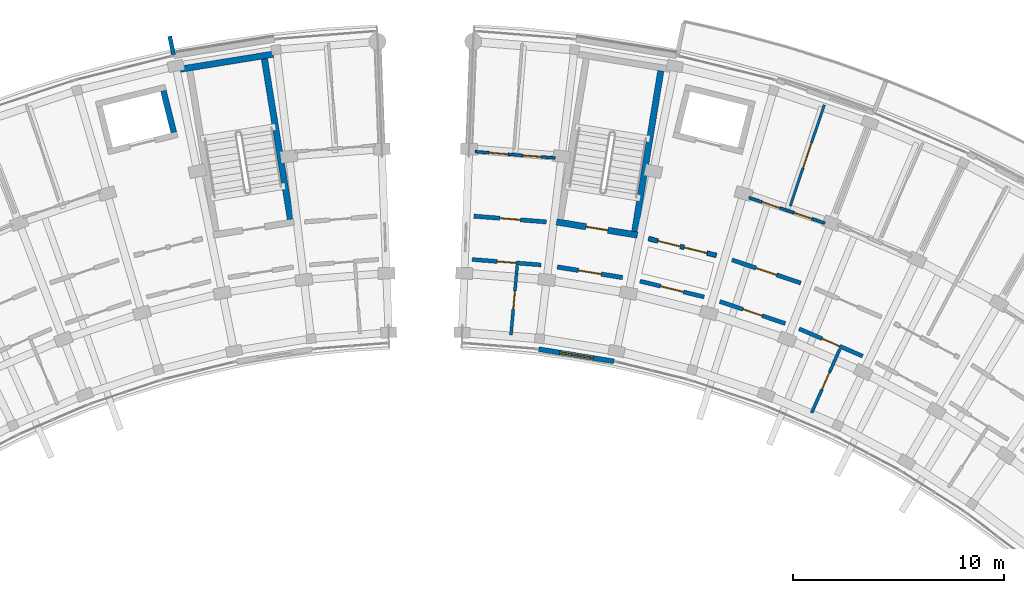
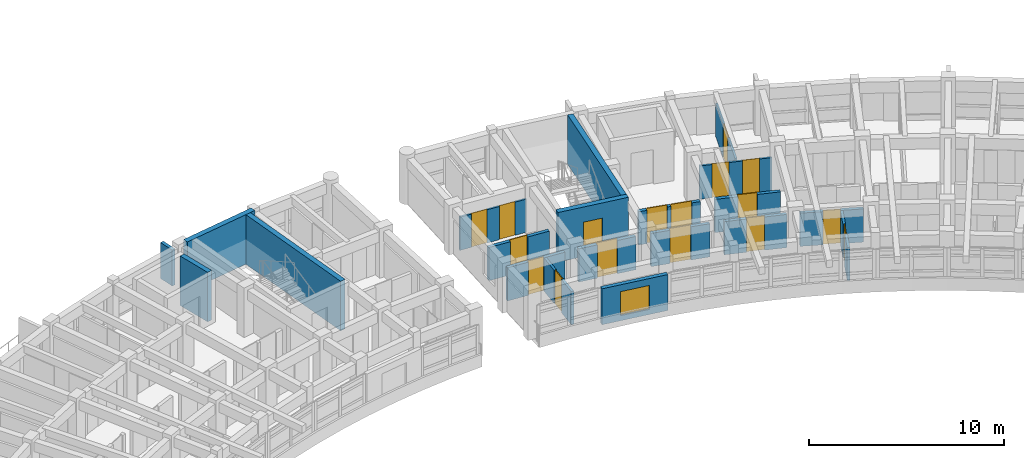
# One storey, part 31 of 55: 20 walls, 17 doors, 1 window, 18 openings.
"""IFC4 building model written with IfcOpenShell, lengths in metres."""

from ifc_helpers import new_model, si_unit, direction, frame, frame_2d, origin, place, context, subcontext, project, spatial, rectangle, extrude, material, layer, layer_set, type_object, element, fill, save


model = new_model("IFC4")

# Units and contexts
model_context = context("Model", 3, precision=1e-05, world=origin(), true_north=direction((0.0, 1.0)))
body_context = subcontext(model_context, "Body", "Model", "MODEL_VIEW")
ifc_project = project(units=[si_unit("LENGTHUNIT", "METRE"), si_unit("AREAUNIT", "SQUARE_METRE"), si_unit("VOLUMEUNIT", "CUBIC_METRE"), si_unit("PLANEANGLEUNIT", "RADIAN"), si_unit("MASSUNIT", "GRAM", prefix="KILO")], contexts=[model_context])

# Site, building, storey
site_placement = place(None, origin())
site = spatial("IfcSite", under=ifc_project, at=site_placement, CompositionType="ELEMENT")
building_placement = place(site_placement, origin())
building = spatial("IfcBuilding", under=site, at=building_placement, Name="Zimvara Arc Housing Community", CompositionType="ELEMENT")
storey_placement = place(building_placement, frame((0.0, 0.0, 14.300048828125)))
storey = spatial("IfcBuildingStorey", under=building, at=storey_placement, Name="L04", CompositionType="ELEMENT", Elevation=14.300048828125)

# Wall, opening, window
ifc_material_1 = material(Name="Board-Marked Fair-Faced Concrete C35/45", Category="concrete")
ifc_layer_1 = layer(ifc_material_1, 0.22998046875)
ifc_layer_set_1 = layer_set([ifc_layer_1], Name="Board-Marked Fair-Faced Concrete C35/45")
wall_type_1 = type_object("IfcWallType", Name="EWL-CONC-230", PredefinedType="SOLIDWALL", material=ifc_layer_set_1)
wall_1_placement = place(storey_placement, frame((50.36474609375, 88.79541015625, 0.0), z_axis=(0.0, 0.0, 1.0), x_axis=(0.987080874485, -0.160222804952, 0.0)))
wall_1 = element("IfcWall", 1, at=wall_1_placement, inside=storey, type_object=wall_type_1, Name="ewall:blkB:L04:in:b1", PredefinedType="SOLIDWALL", context=body_context, shape_type="SweptSolid", body=[
    extrude(rectangle(XDim=3.603759765625, YDim=0.22998046875, at=frame_2d((1.8017578125, 0.0))), origin(), (0.0, 0.0, 1.0), 2.25),
])
opening_1_placement = place(wall_1_placement, frame((1.001708984375, 0.0, 0.320068359375)))
opening_1 = element("IfcOpeningElement", 2, at=opening_1_placement, cuts=wall_1, Name="Opening W03", PredefinedType="OPENING", context=body_context, shape_type="SweptSolid", body=[
    extrude(rectangle(XDim=1.60009765625, YDim=1.5, at=frame_2d((0.800048828125, 0.75))), frame((0.0, 0.125, 0.0), z_axis=(0.0, -1.0, 0.0), x_axis=(1.0, 0.0, 0.0)), (0.0, 0.0, 1.0), 0.25),
])
ifc_material_2 = material(Name="Solar Control Low-E Double Glazing", Category="glass")
window_type = type_object("IfcWindowType", Name="WIN-RES-1600x1500", PartitioningType="DOUBLE_PANEL_VERTICAL", PredefinedType="WINDOW", material=ifc_material_2)
window_placement = place(opening_1_placement, origin())
window = element("IfcWindow", 3, at=window_placement, inside=storey, type_object=window_type, Name="win:blkB:L04:in:b1", OverallHeight=1.5, OverallWidth=1.60009765625, PartitioningType="DOUBLE_PANEL_VERTICAL", PredefinedType="WINDOW", context=body_context, shape_type="SweptSolid", body=[
    extrude(rectangle(XDim=1.60009765625, YDim=1.5, at=frame_2d((0.800048828125, 0.75))), frame((0.0, 0.030029296875, 0.0), z_axis=(0.0, -1.0, 0.0), x_axis=(1.0, 0.0, 0.0)), (0.0, 0.0, 1.0), 0.06005859375),
])
fill(opening_1, window)

# Wall
ifc_material_3 = material(Name="Board-Marked Fair-Faced Concrete C35/45", Category="concrete")
ifc_layer_2 = layer(ifc_material_3, 0.195068359375)
ifc_layer_set_2 = layer_set([ifc_layer_2], Name="Board-Marked Fair-Faced Concrete C35/45")
wall_type_2 = type_object("IfcWallType", Name="EWL-PARA-195", PredefinedType="PARAPET", material=ifc_layer_set_2)
wall_2_placement = place(storey_placement, frame((33.092529296875, 102.714599609375, 0.0), z_axis=(0.0, 0.0, 1.0), x_axis=(-0.200183211319, 0.979758481416, 0.0)))
element("IfcWall", 4, at=wall_2_placement, inside=storey, type_object=wall_type_2, Name="finwall:blkA:L04:out:b8", PredefinedType="PARAPET", context=body_context, shape_type="SweptSolid", body=[
    extrude(rectangle(XDim=0.900146484375, YDim=0.195068359375, at=frame_2d((0.4501953125, 0.0))), origin(), (0.0, 0.0, 1.0), 2.25),
])

# Wall, opening, door
ifc_material_4 = material(Name="Concrete C35/45", Category="concrete")
ifc_layer_3 = layer(ifc_material_4, 0.2099609375)
ifc_layer_set_3 = layer_set([ifc_layer_3], Name="Concrete C35/45")
wall_type_3 = type_object("IfcWallType", Name="IWL-CCF-210", PredefinedType="SOLIDWALL", material=ifc_layer_set_3)
wall_3_placement = place(storey_placement, frame((51.236328125, 92.682861328125, 0.0), z_axis=(0.0, 0.0, 1.0), x_axis=(0.98707079686, -0.160284877599, 0.0)))
wall_3 = element("IfcWall", 5, at=wall_3_placement, inside=storey, type_object=wall_type_3, Name="iwall:blkB:L04:ccf_div:b1", PredefinedType="SOLIDWALL", context=body_context, shape_type="SweptSolid", body=[
    extrude(rectangle(XDim=3.128662109375, YDim=0.2099609375, at=frame_2d((1.564453125, 0.0))), origin(), (0.0, 0.0, 1.0), 2.079833984375),
])
opening_2_placement = place(wall_3_placement, frame((1.014404296875, 0.0, 0.0)))
opening_2 = element("IfcOpeningElement", 6, at=opening_2_placement, cuts=wall_3, Name="Opening FD-CCF1", PredefinedType="OPENING", context=body_context, shape_type="SweptSolid", body=[
    extrude(rectangle(XDim=1.10009765625, YDim=2.14990234375, at=frame_2d((0.550048828125, 1.074951171875))), frame((0.0, 0.114990234375, 0.0), z_axis=(0.0, -1.0, 0.0), x_axis=(1.0, 0.0, 0.0)), (0.0, 0.0, 1.0), 0.22998046875),
])
ifc_material_5 = material(Name="Anodised Aluminium AW-6063", Category="aluminium")
door_type_1 = type_object("IfcDoorType", Name="IDR-CCF-1100x2150", OperationType="NOTDEFINED", PredefinedType="DOOR", material=ifc_material_5)
door_1_placement = place(opening_2_placement, origin())
door_1 = element("IfcDoor", 7, at=door_1_placement, inside=storey, type_object=door_type_1, Name="idoor:blkB:L04:ccf_in:b1", OperationType="SINGLE_SWING_LEFT", OverallHeight=2.14990234375, OverallWidth=1.10009765625, PredefinedType="DOOR", context=body_context, shape_type="SweptSolid", body=[
    extrude(rectangle(XDim=1.10009765625, YDim=2.14990234375, at=frame_2d((0.550048828125, 1.074951171875))), frame((0.0, 0.02490234375, 0.0), z_axis=(0.0, -1.0, 0.0), x_axis=(1.0, 0.0, 0.0)), (0.0, 0.0, 1.0), 0.050048828125),
])
fill(opening_2, door_1)

# Wall, openings, doors
wall_4_placement = place(storey_placement, frame((55.5576171875, 94.021728515625, 0.0), z_axis=(0.0, 0.0, 1.0), x_axis=(0.970719238682, -0.240216901263, 0.0)))
wall_4 = element("IfcWall", 8, at=wall_4_placement, inside=storey, type_object=wall_type_3, Name="iwall:blkB:L04:ll_div:b2", PredefinedType="SOLIDWALL", context=body_context, shape_type="SweptSolid", body=[
    extrude(rectangle(XDim=3.2958984375, YDim=0.2099609375, at=frame_2d((1.64794921875, 0.0))), origin(), (0.0, 0.0, 1.0), 2.079833984375),
])
opening_3_placement = place(wall_4_placement, frame((0.449951171875, 0.0, 0.0)))
opening_3 = element("IfcOpeningElement", 9, at=opening_3_placement, cuts=wall_4, Name="Opening FD-CCF1", PredefinedType="OPENING", context=body_context, shape_type="SweptSolid", body=[
    extrude(rectangle(XDim=1.10009765625, YDim=2.14990234375, at=frame_2d((0.550048828125, 1.074951171875))), frame((0.0, 0.114990234375, 0.0), z_axis=(0.0, -1.0, 0.0), x_axis=(1.0, 0.0, 0.0)), (0.0, 0.0, 1.0), 0.22998046875),
])
opening_4_placement = place(wall_4_placement, frame((1.72607421875, 0.0, 0.0)))
opening_4 = element("IfcOpeningElement", 10, at=opening_4_placement, cuts=wall_4, Name="Opening D07", PredefinedType="OPENING", context=body_context, shape_type="SweptSolid", body=[
    extrude(rectangle(XDim=1.1201171875, YDim=2.14990234375, at=frame_2d((0.56005859375, 1.074951171875))), frame((0.0, 0.114990234375, 0.0), z_axis=(0.0, -1.0, 0.0), x_axis=(1.0, 0.0, 0.0)), (0.0, 0.0, 1.0), 0.22998046875),
])
ifc_material_6 = material(Name="Mozambican Hardwood", Category="wood")
door_type_2 = type_object("IfcDoorType", Name="IDR-AMN-1120x2150", OperationType="NOTDEFINED", PredefinedType="DOOR", material=ifc_material_6)
door_2_placement = place(opening_4_placement, origin())
door_2 = element("IfcDoor", 11, at=door_2_placement, inside=storey, type_object=door_type_2, Name="idoor:blkB:L04:rs_in:b2", OperationType="SINGLE_SWING_LEFT", OverallHeight=2.14990234375, OverallWidth=1.1201171875, PredefinedType="DOOR", context=body_context, shape_type="SweptSolid", body=[
    extrude(rectangle(XDim=1.1201171875, YDim=2.14990234375, at=frame_2d((0.56005859375, 1.074951171875))), frame((0.0, 0.02490234375, 0.0), z_axis=(0.0, -1.0, 0.0), x_axis=(1.0, 0.0, 0.0)), (0.0, 0.0, 1.0), 0.050048828125),
])
fill(opening_4, door_2)
door_3_placement = place(opening_3_placement, origin())
door_3 = element("IfcDoor", 12, at=door_3_placement, inside=storey, type_object=door_type_1, Name="idoor:blkB:L04:ll_in:b2", OperationType="SINGLE_SWING_RIGHT", OverallHeight=2.14990234375, OverallWidth=1.10009765625, PredefinedType="DOOR", context=body_context, shape_type="SweptSolid", body=[
    extrude(rectangle(XDim=1.10009765625, YDim=2.14990234375, at=frame_2d((0.550048828125, 1.074951171875))), frame((0.0, 0.02490234375, 0.0), z_axis=(0.0, -1.0, 0.0), x_axis=(1.0, 0.0, 0.0)), (0.0, 0.0, 1.0), 0.050048828125),
])
fill(opening_3, door_3)

# Wall, opening, door
ifc_material_7 = material(Name="Concrete C35/45", Category="concrete")
ifc_layer_4 = layer(ifc_material_7, 0.18994140625)
ifc_layer_set_4 = layer_set([ifc_layer_4], Name="Concrete C35/45")
wall_type_4 = type_object("IfcWallType", Name="IWL-CORR-190", PredefinedType="SOLIDWALL", material=ifc_layer_set_4)
wall_5_placement = place(storey_placement, frame((47.214599609375, 93.036376953125, 0.0), z_axis=(0.0, 0.0, 1.0), x_axis=(0.99686660806, -0.07910098441, 0.0)))
wall_5 = element("IfcWall", 13, at=wall_5_placement, inside=storey, type_object=wall_type_4, Name="iwall:blkB:L04:corr_in:b0", PredefinedType="SOLIDWALL", context=body_context, shape_type="SweptSolid", body=[
    extrude(rectangle(XDim=3.2685546875, YDim=0.18994140625, at=frame_2d((1.63427734375, 0.0))), origin(), (0.0, 0.0, 1.0), 2.079833984375),
])
opening_5_placement = place(wall_5_placement, frame((1.184326171875, 0.0, 0.0)))
opening_5 = element("IfcOpeningElement", 14, at=opening_5_placement, cuts=wall_5, Name="Opening D01", PredefinedType="OPENING", context=body_context, shape_type="SweptSolid", body=[
    extrude(rectangle(XDim=0.89990234375, YDim=2.10009765625, at=frame_2d((0.449951171875, 1.050048828125))), frame((0.0, 0.10498046875, 0.0), z_axis=(0.0, -1.0, 0.0), x_axis=(1.0, 0.0, 0.0)), (0.0, 0.0, 1.0), 0.2099609375),
])
ifc_material_8 = material(Name="Mozambican Hardwood", Category="wood")
door_type_3 = type_object("IfcDoorType", Name="IDR-RM-0900x2100", OperationType="NOTDEFINED", PredefinedType="DOOR", material=ifc_material_8)
door_4_placement = place(opening_5_placement, origin())
door_4 = element("IfcDoor", 15, at=door_4_placement, inside=storey, type_object=door_type_3, Name="idoor:blkB:L04:in_rm:b0", OperationType="SINGLE_SWING_RIGHT", OverallHeight=2.10009765625, OverallWidth=0.89990234375, PredefinedType="DOOR", context=body_context, shape_type="SweptSolid", body=[
    extrude(rectangle(XDim=0.89990234375, YDim=2.10009765625, at=frame_2d((0.449951171875, 1.050048828125))), frame((0.0, 0.02490234375, 0.0), z_axis=(0.0, -1.0, 0.0), x_axis=(1.0, 0.0, 0.0)), (0.0, 0.0, 1.0), 0.050048828125),
])
fill(opening_5, door_4)

wall_6_placement = place(storey_placement, frame((55.146728515625, 92.01318359375, 0.0), z_axis=(0.0, 0.0, 1.0), x_axis=(0.970727194092, -0.240184751078, 0.0)))
wall_6 = element("IfcWall", 16, at=wall_6_placement, inside=storey, type_object=wall_type_4, Name="iwall:blkB:L04:ra_div:b2", PredefinedType="SOLIDWALL", context=body_context, shape_type="SweptSolid", body=[
    extrude(rectangle(XDim=3.128662109375, YDim=0.18994140625, at=frame_2d((1.564453125, 0.0))), origin(), (0.0, 0.0, 1.0), 2.079833984375),
])
opening_6_placement = place(wall_6_placement, frame((1.00439453125, 0.0, 0.0)))
opening_6 = element("IfcOpeningElement", 17, at=opening_6_placement, cuts=wall_6, Name="Opening D07", PredefinedType="OPENING", context=body_context, shape_type="SweptSolid", body=[
    extrude(rectangle(XDim=1.1201171875, YDim=2.14990234375, at=frame_2d((0.56005859375, 1.074951171875))), frame((0.0, 0.10498046875, 0.0), z_axis=(0.0, -1.0, 0.0), x_axis=(1.0, 0.0, 0.0)), (0.0, 0.0, 1.0), 0.2099609375),
])
door_5_placement = place(opening_6_placement, origin())
door_5 = element("IfcDoor", 18, at=door_5_placement, inside=storey, type_object=door_type_2, Name="idoor:blkB:L04:ra_d:b2", OperationType="SINGLE_SWING_RIGHT", OverallHeight=2.14990234375, OverallWidth=1.1201171875, PredefinedType="DOOR", context=body_context, shape_type="SweptSolid", body=[
    extrude(rectangle(XDim=1.1201171875, YDim=2.14990234375, at=frame_2d((0.56005859375, 1.074951171875))), frame((0.0, 0.02490234375, 0.0), z_axis=(0.0, -1.0, 0.0), x_axis=(1.0, 0.0, 0.0)), (0.0, 0.0, 1.0), 0.050048828125),
])
fill(opening_6, door_5)

wall_7_placement = place(storey_placement, frame((58.92333984375, 91.04931640625, 0.0), z_axis=(0.0, 0.0, 1.0), x_axis=(0.94787351033, -0.318646839643, 0.0)))
wall_7 = element("IfcWall", 19, at=wall_7_placement, inside=storey, type_object=wall_type_4, Name="iwall:blkB:L04:corr_in:b3", PredefinedType="SOLIDWALL", context=body_context, shape_type="SweptSolid", body=[
    extrude(rectangle(XDim=3.2685546875, YDim=0.18994140625, at=frame_2d((1.63427734375, 0.0))), origin(), (0.0, 0.0, 1.0), 2.079833984375),
])
opening_7_placement = place(wall_7_placement, frame((1.154296875, 0.0, 0.0)))
opening_7 = element("IfcOpeningElement", 20, at=opening_7_placement, cuts=wall_7, Name="Opening D04", PredefinedType="OPENING", context=body_context, shape_type="SweptSolid", body=[
    extrude(rectangle(XDim=0.9599609375, YDim=2.10009765625, at=frame_2d((0.47998046875, 1.050048828125))), frame((0.0, 0.10498046875, 0.0), z_axis=(0.0, -1.0, 0.0), x_axis=(1.0, 0.0, 0.0)), (0.0, 0.0, 1.0), 0.2099609375),
])
ifc_material_9 = material(Name="Mozambican Hardwood", Category="wood")
door_type_4 = type_object("IfcDoorType", Name="IDR-RM-0960x2100", OperationType="NOTDEFINED", PredefinedType="DOOR", material=ifc_material_9)
door_6_placement = place(opening_7_placement, origin())
door_6 = element("IfcDoor", 21, at=door_6_placement, inside=storey, type_object=door_type_4, Name="idoor:blkB:L04:in_rm:b3", OperationType="SINGLE_SWING_RIGHT", OverallHeight=2.10009765625, OverallWidth=0.9599609375, PredefinedType="DOOR", context=body_context, shape_type="SweptSolid", body=[
    extrude(rectangle(XDim=0.9599609375, YDim=2.10009765625, at=frame_2d((0.47998046875, 1.050048828125))), frame((0.0, 0.02490234375, 0.0), z_axis=(0.0, -1.0, 0.0), x_axis=(1.0, 0.0, 0.0)), (0.0, 0.0, 1.0), 0.050048828125),
])
fill(opening_7, door_6)

wall_8_placement = place(storey_placement, frame((62.6748046875, 89.758056640625, 0.0), z_axis=(0.0, 0.0, 1.0), x_axis=(0.918723391052, -0.394901672235, 0.0)))
wall_8 = element("IfcWall", 22, at=wall_8_placement, inside=storey, type_object=wall_type_4, Name="iwall:blkB:L04:corr_in:b4", PredefinedType="SOLIDWALL", context=body_context, shape_type="SweptSolid", body=[
    extrude(rectangle(XDim=3.2685546875, YDim=0.18994140625, at=frame_2d((1.63427734375, 0.0))), origin(), (0.0, 0.0, 1.0), 2.079833984375),
])
opening_8_placement = place(wall_8_placement, frame((1.184326171875, 0.0, 0.0)))
opening_8 = element("IfcOpeningElement", 23, at=opening_8_placement, cuts=wall_8, Name="Opening D01", PredefinedType="OPENING", context=body_context, shape_type="SweptSolid", body=[
    extrude(rectangle(XDim=0.89990234375, YDim=2.10009765625, at=frame_2d((0.449951171875, 1.050048828125))), frame((0.0, 0.10498046875, 0.0), z_axis=(0.0, -1.0, 0.0), x_axis=(1.0, 0.0, 0.0)), (0.0, 0.0, 1.0), 0.2099609375),
])
door_7_placement = place(opening_8_placement, origin())
door_7 = element("IfcDoor", 24, at=door_7_placement, inside=storey, type_object=door_type_3, Name="idoor:blkB:L04:in_rm:b4", OperationType="SINGLE_SWING_LEFT", OverallHeight=2.10009765625, OverallWidth=0.89990234375, PredefinedType="DOOR", context=body_context, shape_type="SweptSolid", body=[
    extrude(rectangle(XDim=0.89990234375, YDim=2.10009765625, at=frame_2d((0.449951171875, 1.050048828125))), frame((0.0, 0.02490234375, 0.0), z_axis=(0.0, -1.0, 0.0), x_axis=(1.0, 0.0, 0.0)), (0.0, 0.0, 1.0), 0.050048828125),
])
fill(opening_8, door_7)

ifc_material_10 = material(Name="Concrete C35/45", Category="concrete")
ifc_layer_5 = layer(ifc_material_10, 0.199951171875)
ifc_layer_set_5 = layer_set([ifc_layer_5], Name="Concrete C35/45")
wall_type_5 = type_object("IfcWallType", Name="IWL-CORR-200", PredefinedType="SOLIDWALL", material=ifc_layer_set_5)
wall_9_placement = place(storey_placement, frame((47.293212890625, 95.0849609375, 0.0), z_axis=(0.0, 0.0, 1.0), x_axis=(0.996862545573, -0.079152165058, 0.0)))
wall_9 = element("IfcWall", 25, at=wall_9_placement, inside=storey, type_object=wall_type_5, Name="iwall:blkB:L04:corr_out:b0", PredefinedType="SOLIDWALL", context=body_context, shape_type="SweptSolid", body=[
    extrude(rectangle(XDim=3.43603515625, YDim=0.199951171875, at=frame_2d((1.718017578125, 0.0))), origin(), (0.0, 0.0, 1.0), 2.079833984375),
])
opening_9_placement = place(wall_9_placement, frame((1.22802734375, 0.0, 0.0)))
opening_9 = element("IfcOpeningElement", 26, at=opening_9_placement, cuts=wall_9, Name="Opening FD-FL1", PredefinedType="OPENING", context=body_context, shape_type="SweptSolid", body=[
    extrude(rectangle(XDim=0.97998046875, YDim=2.14990234375, at=frame_2d((0.489990234375, 1.074951171875))), frame((0.0, 0.10986328125, 0.0), z_axis=(0.0, -1.0, 0.0), x_axis=(1.0, 0.0, 0.0)), (0.0, 0.0, 1.0), 0.219970703125),
])
ifc_material_11 = material(Name="Mozambican Hardwood", Category="wood")
door_type_5 = type_object("IfcDoorType", Name="IDR-FLAT-0980x2150", OperationType="NOTDEFINED", PredefinedType="DOOR", material=ifc_material_11)
door_8_placement = place(opening_9_placement, origin())
door_8 = element("IfcDoor", 27, at=door_8_placement, inside=storey, type_object=door_type_5, Name="idoor:blkB:L04:flat:b0", OperationType="SINGLE_SWING_LEFT", OverallHeight=2.14990234375, OverallWidth=0.97998046875, PredefinedType="DOOR", context=body_context, shape_type="SweptSolid", body=[
    extrude(rectangle(XDim=0.97998046875, YDim=2.14990234375, at=frame_2d((0.489990234375, 1.074951171875))), frame((0.0, 0.02490234375, 0.0), z_axis=(0.0, -1.0, 0.0), x_axis=(1.0, 0.0, 0.0)), (0.0, 0.0, 1.0), 0.050048828125),
])
fill(opening_9, door_8)

wall_10_placement = place(storey_placement, frame((59.49658203125, 93.017578125, 0.0), z_axis=(0.0, 0.0, 1.0), x_axis=(0.947863007629, -0.318678080151, 0.0)))
wall_10 = element("IfcWall", 28, at=wall_10_placement, inside=storey, type_object=wall_type_5, Name="iwall:blkB:L04:corr_out:b3", PredefinedType="SOLIDWALL", context=body_context, shape_type="SweptSolid", body=[
    extrude(rectangle(XDim=3.43603515625, YDim=0.199951171875, at=frame_2d((1.718017578125, 0.0))), origin(), (0.0, 0.0, 1.0), 2.079833984375),
])
opening_10_placement = place(wall_10_placement, frame((1.2080078125, 0.0, 0.0)))
opening_10 = element("IfcOpeningElement", 29, at=opening_10_placement, cuts=wall_10, Name="Opening FD-FL2", PredefinedType="OPENING", context=body_context, shape_type="SweptSolid", body=[
    extrude(rectangle(XDim=1.02001953125, YDim=2.14990234375, at=frame_2d((0.510009765625, 1.074951171875))), frame((0.0, 0.10986328125, 0.0), z_axis=(0.0, -1.0, 0.0), x_axis=(1.0, 0.0, 0.0)), (0.0, 0.0, 1.0), 0.219970703125),
])
ifc_material_12 = material(Name="Mozambican Hardwood", Category="wood")
door_type_6 = type_object("IfcDoorType", Name="IDR-FLAT-1020x2150", OperationType="NOTDEFINED", PredefinedType="DOOR", material=ifc_material_12)
door_9_placement = place(opening_10_placement, origin())
door_9 = element("IfcDoor", 30, at=door_9_placement, inside=storey, type_object=door_type_6, Name="idoor:blkB:L04:flat:b3", OperationType="SINGLE_SWING_LEFT", OverallHeight=2.14990234375, OverallWidth=1.02001953125, PredefinedType="DOOR", context=body_context, shape_type="SweptSolid", body=[
    extrude(rectangle(XDim=1.02001953125, YDim=2.14990234375, at=frame_2d((0.510009765625, 1.074951171875))), frame((0.0, 0.02490234375, 0.0), z_axis=(0.0, -1.0, 0.0), x_axis=(1.0, 0.0, 0.0)), (0.0, 0.0, 1.0), 0.050048828125),
])
fill(opening_10, door_9)

# Wall, openings, doors
ifc_material_13 = material(Name="Painted Acoustic Plasterboard")
ifc_layer_6 = layer(ifc_material_13, 0.1201171875)
ifc_layer_set_6 = layer_set([ifc_layer_6], Name="Painted Acoustic Plasterboard")
wall_type_6 = type_object("IfcWallType", Name="IWL-PART-120", PredefinedType="PARTITIONING", material=ifc_layer_set_6)
wall_11_placement = place(storey_placement, frame((47.360595703125, 98.13671875, 0.0), z_axis=(0.0, 0.0, 1.0), x_axis=(0.996863292793, -0.079142753818, 0.0)))
wall_11 = element("IfcWall", 31, at=wall_11_placement, inside=storey, type_object=wall_type_6, Name="iwall:blkB:L04:srv:b0", PredefinedType="PARTITIONING", context=body_context, shape_type="SweptSolid", body=[
    extrude(rectangle(XDim=3.78515625, YDim=0.1201171875, at=frame_2d((1.892578125, 0.0))), origin(), (0.0, 0.0, 1.0), 2.079833984375),
])
opening_11_placement = place(wall_11_placement, frame((0.64990234375, 0.0, 0.0)))
opening_11 = element("IfcOpeningElement", 32, at=opening_11_placement, cuts=wall_11, Name="Opening D01", PredefinedType="OPENING", context=body_context, shape_type="SweptSolid", body=[
    extrude(rectangle(XDim=0.89990234375, YDim=2.10009765625, at=frame_2d((0.449951171875, 1.050048828125))), frame((0.0, 0.070068359375, 0.0), z_axis=(0.0, -1.0, 0.0), x_axis=(1.0, 0.0, 0.0)), (0.0, 0.0, 1.0), 0.14013671875),
])
opening_12_placement = place(wall_11_placement, frame((2.255126953125, 0.0, 0.0)))
opening_12 = element("IfcOpeningElement", 33, at=opening_12_placement, cuts=wall_11, Name="Opening D05", PredefinedType="OPENING", context=body_context, shape_type="SweptSolid", body=[
    extrude(rectangle(XDim=0.8798828125, YDim=2.10009765625, at=frame_2d((0.43994140625, 1.050048828125))), frame((0.0, 0.070068359375, 0.0), z_axis=(0.0, -1.0, 0.0), x_axis=(1.0, 0.0, 0.0)), (0.0, 0.0, 1.0), 0.14013671875),
])
door_10_placement = place(opening_11_placement, origin())
door_10 = element("IfcDoor", 34, at=door_10_placement, inside=storey, type_object=door_type_3, Name="idoor:blkB:L04:kit_liv:b0", OperationType="SINGLE_SWING_RIGHT", OverallHeight=2.10009765625, OverallWidth=0.89990234375, PredefinedType="DOOR", context=body_context, shape_type="SweptSolid", body=[
    extrude(rectangle(XDim=0.89990234375, YDim=2.10009765625, at=frame_2d((0.449951171875, 1.050048828125))), frame((0.0, 0.02490234375, 0.0), z_axis=(0.0, -1.0, 0.0), x_axis=(1.0, 0.0, 0.0)), (0.0, 0.0, 1.0), 0.050048828125),
])
fill(opening_11, door_10)
ifc_material_14 = material(Name="Mozambican Hardwood", Category="wood")
door_type_7 = type_object("IfcDoorType", Name="IDR-WC-0880x2100", OperationType="NOTDEFINED", PredefinedType="DOOR", material=ifc_material_14)
door_11_placement = place(opening_12_placement, origin())
door_11 = element("IfcDoor", 35, at=door_11_placement, inside=storey, type_object=door_type_7, Name="idoor:blkB:L04:bath_d:b0", OperationType="SINGLE_SWING_LEFT", OverallHeight=2.10009765625, OverallWidth=0.8798828125, PredefinedType="DOOR", context=body_context, shape_type="SweptSolid", body=[
    extrude(rectangle(XDim=0.8798828125, YDim=2.10009765625, at=frame_2d((0.43994140625, 1.050048828125))), frame((0.0, 0.02490234375, 0.0), z_axis=(0.0, -1.0, 0.0), x_axis=(1.0, 0.0, 0.0)), (0.0, 0.0, 1.0), 0.050048828125),
])
fill(opening_12, door_11)

# Wall, opening, door
wall_12_placement = place(storey_placement, frame((62.2509765625, 95.564697265625, 0.0), z_axis=(0.0, 0.0, 1.0), x_axis=(0.32008297059, 0.94738951437, 0.0)))
wall_12 = element("IfcWall", 36, at=wall_12_placement, inside=storey, type_object=wall_type_6, Name="iwall:blkB:L04:bed_div:b3", PredefinedType="PARTITIONING", context=body_context, shape_type="SweptSolid", body=[
    extrude(rectangle(XDim=5.050048828125, YDim=0.1201171875, at=frame_2d((2.52490234375, 0.0))), origin(), (0.0, 0.0, 1.0), 2.079833984375),
])
opening_13_placement = place(wall_12_placement, frame((1.905029296875, 0.0, 0.0)))
opening_13 = element("IfcOpeningElement", 37, at=opening_13_placement, cuts=wall_12, Name="Opening D19", PredefinedType="OPENING", context=body_context, shape_type="SweptSolid", body=[
    extrude(rectangle(XDim=1.239990234375, YDim=2.10009765625, at=frame_2d((0.6201171875, 1.050048828125))), frame((0.0, 0.070068359375, 0.0), z_axis=(0.0, -1.0, 0.0), x_axis=(1.0, 0.0, 0.0)), (0.0, 0.0, 1.0), 0.14013671875),
])
ifc_material_15 = material(Name="Mozambican Hardwood", Category="wood")
door_type_8 = type_object("IfcDoorType", Name="IDR-MOD-1240x2180", OperationType="NOTDEFINED", PredefinedType="DOOR", material=ifc_material_15)
door_12_placement = place(opening_13_placement, origin())
door_12 = element("IfcDoor", 38, at=door_12_placement, inside=storey, type_object=door_type_8, Name="idoor:blkB:L04:bed_d:b3", OperationType="SINGLE_SWING_LEFT", OverallHeight=2.10009765625, OverallWidth=1.239990234375, PredefinedType="DOOR", context=body_context, shape_type="SweptSolid", body=[
    extrude(rectangle(XDim=1.239990234375, YDim=2.10009765625, at=frame_2d((0.6201171875, 1.050048828125))), frame((0.0, 0.02490234375, 0.0), z_axis=(0.0, -1.0, 0.0), x_axis=(1.0, 0.0, 0.0)), (0.0, 0.0, 1.0), 0.050048828125),
])
fill(opening_13, door_12)

# Wall, openings, doors
ifc_material_16 = material(Name="Painted Acoustic Plasterboard")
ifc_layer_7 = layer(ifc_material_16, 0.125)
ifc_layer_set_7 = layer_set([ifc_layer_7], Name="Painted Acoustic Plasterboard")
wall_type_7 = type_object("IfcWallType", Name="IWL-PART-125", PredefinedType="PARTITIONING", material=ifc_layer_set_7)
wall_13_placement = place(storey_placement, frame((60.30224609375, 95.961669921875, 0.0), z_axis=(0.0, 0.0, 1.0), x_axis=(0.947873924847, -0.318645606584, 0.0)))
wall_13 = element("IfcWall", 39, at=wall_13_placement, inside=storey, type_object=wall_type_7, Name="iwall:blkB:L04:srv:b3", PredefinedType="PARTITIONING", context=body_context, shape_type="SweptSolid", body=[
    extrude(rectangle(XDim=3.784912109375, YDim=0.125, at=frame_2d((1.892578125, 0.0))), origin(), (0.0, 0.0, 1.0), 2.079833984375),
])
opening_14_placement = place(wall_13_placement, frame((0.64990234375, 0.0, 0.0)))
opening_14 = element("IfcOpeningElement", 40, at=opening_14_placement, cuts=wall_13, Name="Opening D01", PredefinedType="OPENING", context=body_context, shape_type="SweptSolid", body=[
    extrude(rectangle(XDim=0.89990234375, YDim=2.10009765625, at=frame_2d((0.449951171875, 1.050048828125))), frame((0.0, 0.072509765625, 0.0), z_axis=(0.0, -1.0, 0.0), x_axis=(1.0, 0.0, 0.0)), (0.0, 0.0, 1.0), 0.14501953125),
])
opening_15_placement = place(wall_13_placement, frame((2.255126953125, 0.0, 0.0)))
opening_15 = element("IfcOpeningElement", 41, at=opening_15_placement, cuts=wall_13, Name="Opening D05", PredefinedType="OPENING", context=body_context, shape_type="SweptSolid", body=[
    extrude(rectangle(XDim=0.8798828125, YDim=2.10009765625, at=frame_2d((0.43994140625, 1.050048828125))), frame((0.0, 0.072509765625, 0.0), z_axis=(0.0, -1.0, 0.0), x_axis=(1.0, 0.0, 0.0)), (0.0, 0.0, 1.0), 0.14501953125),
])
door_13_placement = place(opening_14_placement, origin())
door_13 = element("IfcDoor", 42, at=door_13_placement, inside=storey, type_object=door_type_3, Name="idoor:blkB:L04:kit_liv:b3", OperationType="SINGLE_SWING_LEFT", OverallHeight=2.10009765625, OverallWidth=0.89990234375, PredefinedType="DOOR", context=body_context, shape_type="SweptSolid", body=[
    extrude(rectangle(XDim=0.89990234375, YDim=2.10009765625, at=frame_2d((0.449951171875, 1.050048828125))), frame((0.0, 0.02490234375, 0.0), z_axis=(0.0, -1.0, 0.0), x_axis=(1.0, 0.0, 0.0)), (0.0, 0.0, 1.0), 0.050048828125),
])
fill(opening_14, door_13)
door_14_placement = place(opening_15_placement, origin())
door_14 = element("IfcDoor", 43, at=door_14_placement, inside=storey, type_object=door_type_7, Name="idoor:blkB:L04:bath_d:b3", OperationType="SINGLE_SWING_RIGHT", OverallHeight=2.10009765625, OverallWidth=0.8798828125, PredefinedType="DOOR", context=body_context, shape_type="SweptSolid", body=[
    extrude(rectangle(XDim=0.8798828125, YDim=2.10009765625, at=frame_2d((0.43994140625, 1.050048828125))), frame((0.0, 0.02490234375, 0.0), z_axis=(0.0, -1.0, 0.0), x_axis=(1.0, 0.0, 0.0)), (0.0, 0.0, 1.0), 0.050048828125),
])
fill(opening_15, door_14)

# Wall, opening, door
ifc_material_17 = material(Name="Painted Acoustic Plasterboard")
ifc_layer_8 = layer(ifc_material_17, 0.14501953125)
ifc_layer_set_8 = layer_set([ifc_layer_8], Name="Painted Acoustic Plasterboard")
wall_type_8 = type_object("IfcWallType", Name="IWL-WET-145", PredefinedType="PARTITIONING", material=ifc_layer_set_8)
wall_14_placement = place(storey_placement, frame((49.048828125, 89.468017578125, 0.0), z_axis=(0.0, 0.0, 1.0), x_axis=(0.089661916212, 0.995972259042, 0.0)))
wall_14 = element("IfcWall", 44, at=wall_14_placement, inside=storey, type_object=wall_type_8, Name="iwall:blkB:L04:ens:b0", PredefinedType="PARTITIONING", context=body_context, shape_type="SweptSolid", body=[
    extrude(rectangle(XDim=3.300048828125, YDim=0.14501953125, at=frame_2d((1.64990234375, 0.0))), origin(), (0.0, 0.0, 1.0), 2.079833984375),
])
opening_16_placement = place(wall_14_placement, frame((1.2099609375, 0.0, 0.0)))
opening_16 = element("IfcOpeningElement", 45, at=opening_16_placement, cuts=wall_14, Name="Opening D05", PredefinedType="OPENING", context=body_context, shape_type="SweptSolid", body=[
    extrude(rectangle(XDim=0.8798828125, YDim=2.10009765625, at=frame_2d((0.43994140625, 1.050048828125))), frame((0.0, 0.08251953125, 0.0), z_axis=(0.0, -1.0, 0.0), x_axis=(1.0, 0.0, 0.0)), (0.0, 0.0, 1.0), 0.1650390625),
])
door_15_placement = place(opening_16_placement, origin())
door_15 = element("IfcDoor", 46, at=door_15_placement, inside=storey, type_object=door_type_7, Name="idoor:blkB:L04:ens_d:b0", OperationType="SINGLE_SWING_LEFT", OverallHeight=2.10009765625, OverallWidth=0.8798828125, PredefinedType="DOOR", context=body_context, shape_type="SweptSolid", body=[
    extrude(rectangle(XDim=0.8798828125, YDim=2.10009765625, at=frame_2d((0.43994140625, 1.050048828125))), frame((0.0, 0.02490234375, 0.0), z_axis=(0.0, -1.0, 0.0), x_axis=(1.0, 0.0, 0.0)), (0.0, 0.0, 1.0), 0.050048828125),
])
fill(opening_16, door_15)

wall_15_placement = place(storey_placement, frame((63.266845703125, 85.789794921875, 0.0), z_axis=(0.0, 0.0, 1.0), x_axis=(0.404545283439, 0.91451796792, 0.0)))
wall_15 = element("IfcWall", 47, at=wall_15_placement, inside=storey, type_object=wall_type_8, Name="iwall:blkB:L04:ens:b4", PredefinedType="PARTITIONING", context=body_context, shape_type="SweptSolid", body=[
    extrude(rectangle(XDim=3.2998046875, YDim=0.14501953125, at=frame_2d((1.64990234375, 0.0))), origin(), (0.0, 0.0, 1.0), 2.079833984375),
])
opening_17_placement = place(wall_15_placement, frame((1.2099609375, 0.0, 0.0)))
opening_17 = element("IfcOpeningElement", 48, at=opening_17_placement, cuts=wall_15, Name="Opening D05", PredefinedType="OPENING", context=body_context, shape_type="SweptSolid", body=[
    extrude(rectangle(XDim=0.8798828125, YDim=2.10009765625, at=frame_2d((0.43994140625, 1.050048828125))), frame((0.0, 0.08251953125, 0.0), z_axis=(0.0, -1.0, 0.0), x_axis=(1.0, 0.0, 0.0)), (0.0, 0.0, 1.0), 0.1650390625),
])
door_16_placement = place(opening_17_placement, origin())
door_16 = element("IfcDoor", 49, at=door_16_placement, inside=storey, type_object=door_type_7, Name="idoor:blkB:L04:ens_d:b4", OperationType="SINGLE_SWING_RIGHT", OverallHeight=2.10009765625, OverallWidth=0.8798828125, PredefinedType="DOOR", context=body_context, shape_type="SweptSolid", body=[
    extrude(rectangle(XDim=0.8798828125, YDim=2.10009765625, at=frame_2d((0.43994140625, 1.050048828125))), frame((0.0, 0.02490234375, 0.0), z_axis=(0.0, -1.0, 0.0), x_axis=(1.0, 0.0, 0.0)), (0.0, 0.0, 1.0), 0.050048828125),
])
fill(opening_17, door_16)

# Walls
ifc_material_18 = material(Name="Concrete C40/50", Category="concrete")
ifc_layer_9 = layer(ifc_material_18, 0.280029296875)
ifc_layer_set_9 = layer_set([ifc_layer_9], Name="Concrete C40/50")
wall_type_9 = type_object("IfcWallType", Name="WL-CORE-280", PredefinedType="SHEAR", material=ifc_layer_set_9)
wall_16_placement = place(storey_placement, frame((33.103515625, 99.04443359375, 0.0), z_axis=(0.0, 0.0, 1.0), x_axis=(-0.240186044774, 0.970726873995, 0.0)))
element("IfcWall", 50, at=wall_16_placement, inside=storey, type_object=wall_type_9, Name="lwall:LF-A2:L04:left", PredefinedType="SHEAR", context=body_context, shape_type="SweptSolid", body=[
    extrude(rectangle(XDim=2.02978515625, YDim=0.280029296875, at=frame_2d((1.014892578125, 0.0))), origin(), (0.0, 0.0, 1.0), 3.099853515625),
])
ifc_material_19 = material(Name="Concrete C40/50", Category="concrete")
ifc_layer_10 = layer(ifc_material_19, 0.300048828125)
ifc_layer_set_10 = layer_set([ifc_layer_10], Name="Concrete C40/50")
wall_type_10 = type_object("IfcWallType", Name="WL-CORE-300", PredefinedType="SHEAR", material=ifc_layer_set_10)
wall_17_placement = place(storey_placement, frame((37.8095703125, 102.745361328125, 0.0), z_axis=(0.0, 0.0, 1.0), x_axis=(-0.987084710126, -0.160199173019, 0.0)))
element("IfcWall", 51, at=wall_17_placement, inside=storey, type_object=wall_type_10, Name="cwall:ST-A2:L04:far", PredefinedType="SHEAR", context=body_context, shape_type="SweptSolid", body=[
    extrude(rectangle(XDim=4.4697265625, YDim=0.300048828125, at=frame_2d((2.23486328125, 0.0))), origin(), (0.0, 0.0, 1.0), 3.099853515625),
])
wall_18_placement = place(storey_placement, frame((38.62158203125, 94.9345703125, 0.0), z_axis=(0.0, 0.0, 1.0), x_axis=(-0.160196564502, 0.987085133472, 0.0)))
element("IfcWall", 52, at=wall_18_placement, inside=storey, type_object=wall_type_10, Name="cwall:ST-A2:L04:left", PredefinedType="SHEAR", context=body_context, shape_type="SweptSolid", body=[
    extrude(rectangle(XDim=7.690185546875, YDim=0.300048828125, at=frame_2d((3.84521484375, 0.0))), origin(), (0.0, 0.0, 1.0), 3.099853515625),
])

# Wall, opening, door
wall_19_placement = place(storey_placement, frame((55.026123046875, 94.1904296875, 0.0), z_axis=(0.0, 0.0, 1.0), x_axis=(-0.987077443397, 0.160243941341, 0.0)))
wall_19 = element("IfcWall", 53, at=wall_19_placement, inside=storey, type_object=wall_type_10, Name="cwall:ST-B1:L04:near", PredefinedType="SHEAR", context=body_context, shape_type="SweptSolid", body=[
    extrude(rectangle(XDim=3.869873046875, YDim=0.300048828125, at=frame_2d((1.93505859375, 0.0))), origin(), (0.0, 0.0, 1.0), 3.099853515625),
])
opening_18_placement = place(wall_19_placement, frame((1.409912109375, 0.0, 0.0)))
opening_18 = element("IfcOpeningElement", 54, at=opening_18_placement, cuts=wall_19, Name="Opening FD-ST2", PredefinedType="OPENING", context=body_context, shape_type="SweptSolid", body=[
    extrude(rectangle(XDim=1.050048828125, YDim=2.14990234375, at=frame_2d((0.52490234375, 1.074951171875))), frame((0.0, 0.159912109375, 0.0), z_axis=(0.0, -1.0, 0.0), x_axis=(1.0, 0.0, 0.0)), (0.0, 0.0, 1.0), 0.320068359375),
])
ifc_material_20 = material(Name="Anodised Aluminium AW-6063", Category="aluminium")
door_type_9 = type_object("IfcDoorType", Name="IDR-ST-1050x2150", OperationType="NOTDEFINED", PredefinedType="DOOR", material=ifc_material_20)
door_17_placement = place(opening_18_placement, origin())
door_17 = element("IfcDoor", 55, at=door_17_placement, inside=storey, type_object=door_type_9, Name="idoor:ST-B1:L04:entry", OperationType="SINGLE_SWING_RIGHT", OverallHeight=2.14990234375, OverallWidth=1.050048828125, PredefinedType="DOOR", context=body_context, shape_type="SweptSolid", body=[
    extrude(rectangle(XDim=1.050048828125, YDim=2.14990234375, at=frame_2d((0.52490234375, 1.074951171875))), frame((0.0, 0.02490234375, 0.0), z_axis=(0.0, -1.0, 0.0), x_axis=(1.0, 0.0, 0.0)), (0.0, 0.0, 1.0), 0.050048828125),
])
fill(opening_18, door_17)

# Wall
wall_20_placement = place(storey_placement, frame((54.902099609375, 94.362548828125, 0.0), z_axis=(0.0, 0.0, 1.0), x_axis=(0.160227496777, 0.987080112897, 0.0)))
element("IfcWall", 56, at=wall_20_placement, inside=storey, type_object=wall_type_10, Name="cwall:ST-B1:L04:left", PredefinedType="SHEAR", context=body_context, shape_type="SweptSolid", body=[
    extrude(rectangle(XDim=7.690185546875, YDim=0.300048828125, at=frame_2d((3.84521484375, 0.0))), origin(), (0.0, 0.0, 1.0), 3.099853515625),
])

save(model, "model.ifc")
